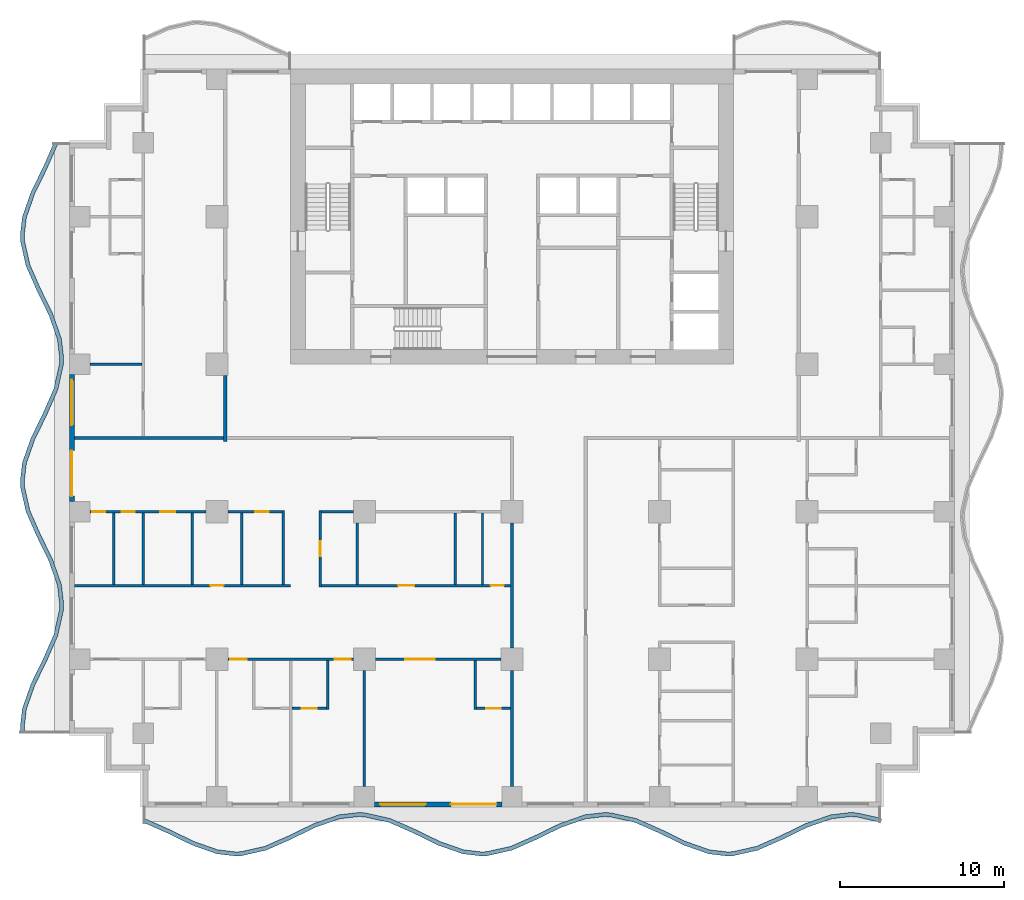
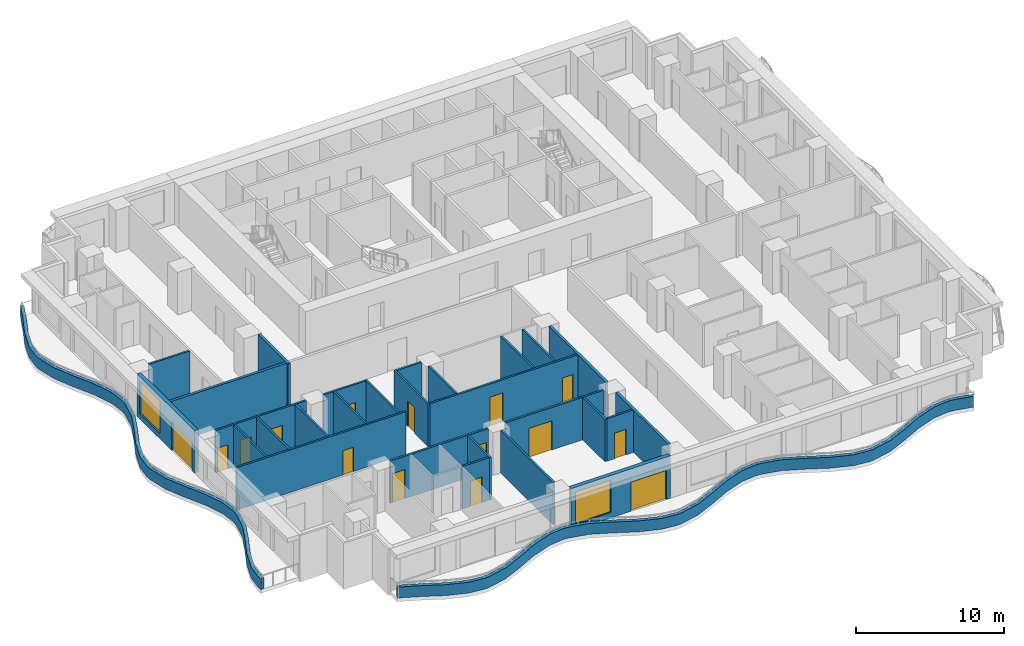
# One storey, part 2 of 14: 30 walls, 15 doors, 2 windows, 17 openings.
"""IFC4 building model written with IfcOpenShell, lengths in metres."""

from ifc_helpers import new_model, si_unit, direction, frame, frame_2d, origin, place, context, subcontext, project, spatial, polyline, rectangle, outline, extrude, material, layer, layer_set, type_object, element, fill, save


model = new_model("IFC4")

# Units and contexts
model_context = context("Model", 3, precision=1e-05, world=origin(), true_north=direction((0.0, 1.0)))
body_context = subcontext(model_context, "Body", "Model", "MODEL_VIEW")
ifc_project = project(units=[si_unit("LENGTHUNIT", "METRE"), si_unit("AREAUNIT", "SQUARE_METRE"), si_unit("VOLUMEUNIT", "CUBIC_METRE"), si_unit("PLANEANGLEUNIT", "RADIAN"), si_unit("MASSUNIT", "GRAM", prefix="KILO")], contexts=[model_context])

# Site, building, storey
site_placement = place(None, origin())
site = spatial("IfcSite", under=ifc_project, at=site_placement, CompositionType="ELEMENT")
building_placement = place(site_placement, origin())
building = spatial("IfcBuilding", under=site, at=building_placement, Name="Orbiselva Terraces", CompositionType="ELEMENT")
storey_placement = place(building_placement, frame((0.0, 0.0, 103.6)))
storey = spatial("IfcBuildingStorey", under=building, at=storey_placement, Name="L26", CompositionType="ELEMENT", Elevation=103.6)

# Walls
ifc_material_1 = material(Name="Concrete C40/50", Category="concrete")
ifc_layer_1 = layer(ifc_material_1, 0.25)
ifc_layer_set_1 = layer_set([ifc_layer_1], Name="Concrete C40/50")
wall_type_1 = type_object("IfcWallType", Name="ENV-PLANTER-250x900", PredefinedType="USERDEFINED", material=ifc_layer_set_1)
wall_1_placement = place(storey_placement, origin())
element("IfcWall", 1, at=wall_1_placement, inside=storey, type_object=wall_type_1, Name="Balcony planter L26 S", ObjectType="PLANTER", PredefinedType="USERDEFINED", context=body_context, shape_type="SweptSolid", body=[
    extrude(outline(polyline([(-22.5, -23.451472), (-21.0, -24.112279), (-19.5, -24.844789), (-18.0, -25.369208), (-16.875, -25.5), (-16.5, -25.485226), (-15.0, -25.148528), (-13.5, -24.487721), (-12.0, -23.755211), (-10.5, -23.230792), (-9.375, -23.1), (-9.0, -23.114774), (-7.5, -23.451472), (-6.0, -24.112279), (-4.5, -24.844789), (-3.0, -25.369208), (-1.875, -25.5), (-1.5, -25.485226), (0.0, -25.148528), (1.5, -24.487721), (3.0, -23.755211), (4.5, -23.230792), (5.625, -23.1), (6.0, -23.114774), (7.5, -23.451472), (9.0, -24.112279), (10.5, -24.844789), (12.0, -25.369208), (13.125, -25.5), (13.5, -25.485226), (15.0, -25.148528), (16.5, -24.487721), (18.0, -23.755211), (19.5, -23.230792), (20.625, -23.1), (21.0, -23.114774), (22.5, -23.451472), (22.554754, -23.207542), (21.032565, -22.865863), (20.615428, -22.849429), (19.443629, -22.985662), (17.90356, -23.524089), (16.394714, -24.260919), (14.921492, -24.90993), (13.467435, -25.236315), (13.134572, -25.249429), (12.056371, -25.124078), (10.59644, -24.613667), (9.105286, -23.885477), (7.578508, -23.212874), (6.032565, -22.865863), (5.615428, -22.849429), (4.443629, -22.985662), (2.90356, -23.524089), (1.394714, -24.260919), (-0.078508, -24.90993), (-1.532565, -25.236315), (-1.865428, -25.249429), (-2.943629, -25.124078), (-4.40356, -24.613667), (-5.894714, -23.885477), (-7.421492, -23.212874), (-8.967435, -22.865863), (-9.384572, -22.849429), (-10.556371, -22.985662), (-12.09644, -23.524089), (-13.605286, -24.260919), (-15.078508, -24.90993), (-16.532565, -25.236315), (-16.865428, -25.249429), (-17.943629, -25.124078), (-19.40356, -24.613667), (-20.894714, -23.885477), (-22.399212, -23.222689), (-22.5, -23.451472)])), origin(), (0.0, 0.0, 1.0), 0.9),
])
wall_2_placement = place(storey_placement, origin())
element("IfcWall", 2, at=wall_2_placement, inside=storey, type_object=wall_type_1, Name="Balcony planter L26 W", ObjectType="PLANTER", PredefinedType="USERDEFINED", context=body_context, shape_type="SweptSolid", body=[
    extrude(outline(polyline([(-27.951472, 18.0), (-28.612279, 16.5), (-29.344789, 15.0), (-29.869208, 13.5), (-30.0, 12.375), (-29.985226, 12.0), (-29.648528, 10.5), (-28.987721, 9.0), (-28.255211, 7.5), (-27.730792, 6.0), (-27.6, 4.875), (-27.614774, 4.5), (-27.951472, 3.0), (-28.612279, 1.5), (-29.344789, 0.0), (-29.869208, -1.5), (-30.0, -2.625), (-29.985226, -3.0), (-29.648528, -4.5), (-28.987721, -6.0), (-28.255211, -7.5), (-27.730792, -9.0), (-27.6, -10.125), (-27.614774, -10.5), (-27.951472, -12.0), (-28.612279, -13.5), (-29.344789, -15.0), (-29.869208, -16.5), (-30.0, -17.625), (-29.985226, -18.0), (-29.73542, -17.990158), (-29.749429, -17.634572), (-29.624078, -16.556371), (-29.113667, -15.09644), (-28.385477, -13.605286), (-27.712874, -12.078508), (-27.365863, -10.532565), (-27.349429, -10.115428), (-27.485662, -8.943629), (-28.024089, -7.40356), (-28.760919, -5.894714), (-29.40993, -4.421492), (-29.736315, -2.967435), (-29.749429, -2.634572), (-29.624078, -1.556371), (-29.113667, -0.09644), (-28.385477, 1.394714), (-27.712874, 2.921492), (-27.365863, 4.467435), (-27.349429, 4.884572), (-27.485662, 6.056371), (-28.024089, 7.59644), (-28.760919, 9.105286), (-29.40993, 10.578508), (-29.736315, 12.032565), (-29.749429, 12.365428), (-29.624078, 13.443629), (-29.113667, 14.90356), (-28.385477, 16.394714), (-27.722689, 17.899212), (-27.951472, 18.0)])), origin(), (0.0, 0.0, 1.0), 0.9),
])

# Wall, openings, door, window
ifc_material_2 = material(Name="Terracotta cladding on masonry backing", Category="masonry")
ifc_layer_2 = layer(ifc_material_2, 0.3)
ifc_layer_set_2 = layer_set([ifc_layer_2], Name="Terracotta cladding on masonry backing")
wall_type_2 = type_object("IfcWallType", Name="ENV-WALL-TERRACOTTA-300", PredefinedType="SOLIDWALL", material=ifc_layer_set_2)
wall_3_placement = place(storey_placement, frame((-0.625, -22.35, 0.0), z_axis=(0.0, 0.0, 1.0), x_axis=(-1.0, 0.0, 0.0)))
wall_3 = element("IfcWall", 3, at=wall_3_placement, inside=storey, type_object=wall_type_2, Name="Facade wall L26 S", PredefinedType="SOLIDWALL", context=body_context, shape_type="SweptSolid", body=[
    extrude(rectangle(XDim=7.75, YDim=0.3, at=frame_2d((3.875, 0.0))), origin(), (0.0, 0.0, 1.0), 3.5),
])
opening_1_placement = place(wall_3_placement, frame((4.65, 0.0, 0.45)))
opening_1 = element("IfcOpeningElement", 4, at=opening_1_placement, cuts=wall_3, Name="Opening WN6", PredefinedType="OPENING", context=body_context, shape_type="SweptSolid", body=[
    extrude(rectangle(XDim=2.775, YDim=2.65, at=frame_2d((1.3875, 1.325))), frame((0.0, 0.16, 0.0), z_axis=(0.0, -1.0, 0.0), x_axis=(1.0, 0.0, 0.0)), (0.0, 0.0, 1.0), 0.32),
])
opening_2_placement = place(wall_3_placement, frame((0.325, 0.0, 0.0)))
opening_2 = element("IfcOpeningElement", 5, at=opening_2_placement, cuts=wall_3, Name="Opening Z2-D-E02", PredefinedType="OPENING", context=body_context, shape_type="SweptSolid", body=[
    extrude(rectangle(XDim=2.775, YDim=2.4, at=frame_2d((1.3875, 1.2))), frame((0.0, 0.16, 0.0), z_axis=(0.0, -1.0, 0.0), x_axis=(1.0, 0.0, 0.0)), (0.0, 0.0, 1.0), 0.32),
])
ifc_material_3 = material(Name="Clear low-e glazing in aluminium frame", Category="aluminium")
door_type_1 = type_object("IfcDoorType", Name="BALCONY DOOR 2775 X 2400", OperationType="DOUBLE_DOOR_SLIDING", PredefinedType="DOOR", material=ifc_material_3)
door_1_placement = place(opening_2_placement, origin())
door_1 = element("IfcDoor", 6, at=door_1_placement, inside=storey, type_object=door_type_1, Name="Z2-D-E02", OperationType="SINGLE_SWING_LEFT", OverallHeight=2.4, OverallWidth=2.775, PredefinedType="DOOR", context=body_context, shape_type="SweptSolid", body=[
    extrude(rectangle(XDim=2.775, YDim=2.4, at=frame_2d((1.3875, 1.2))), frame((0.0, 0.025, 0.0), z_axis=(0.0, -1.0, 0.0), x_axis=(1.0, 0.0, 0.0)), (0.0, 0.0, 1.0), 0.05),
])
fill(opening_2, door_1)
window_type = type_object("IfcWindowType", Name="WINDOW 2775 X 2650 S450", PartitioningType="TRIPLE_PANEL_VERTICAL", PredefinedType="WINDOW", material=ifc_material_3)
window_1_placement = place(opening_1_placement, origin())
window_1 = element("IfcWindow", 7, at=window_1_placement, inside=storey, type_object=window_type, Name="Window L26 S", OverallHeight=2.65, OverallWidth=2.775, PartitioningType="SINGLE_PANEL", PredefinedType="WINDOW", context=body_context, shape_type="SweptSolid", body=[
    extrude(rectangle(XDim=2.775, YDim=2.65, at=frame_2d((1.3875, 1.325))), frame((0.0, 0.03, 0.0), z_axis=(0.0, -1.0, 0.0), x_axis=(1.0, 0.0, 0.0)), (0.0, 0.0, 1.0), 0.06),
])
fill(opening_1, window_1)

wall_4_placement = place(storey_placement, frame((-26.85, -3.875, 0.0), z_axis=(0.0, 0.0, 1.0), x_axis=(0.0, 1.0, 0.0)))
wall_4 = element("IfcWall", 8, at=wall_4_placement, inside=storey, type_object=wall_type_2, Name="Facade wall L26 W", PredefinedType="SOLIDWALL", context=body_context, shape_type="SweptSolid", body=[
    extrude(rectangle(XDim=7.75, YDim=0.3, at=frame_2d((3.875, 0.0))), origin(), (0.0, 0.0, 1.0), 3.5),
])
opening_3_placement = place(wall_4_placement, frame((4.65, 0.0, 0.45)))
opening_3 = element("IfcOpeningElement", 9, at=opening_3_placement, cuts=wall_4, Name="Opening WN6", PredefinedType="OPENING", context=body_context, shape_type="SweptSolid", body=[
    extrude(rectangle(XDim=2.775, YDim=2.65, at=frame_2d((1.3875, 1.325))), frame((0.0, 0.16, 0.0), z_axis=(0.0, -1.0, 0.0), x_axis=(1.0, 0.0, 0.0)), (0.0, 0.0, 1.0), 0.32),
])
opening_4_placement = place(wall_4_placement, frame((0.325, 0.0, 0.0)))
opening_4 = element("IfcOpeningElement", 10, at=opening_4_placement, cuts=wall_4, Name="Opening Z2-D-E11", PredefinedType="OPENING", context=body_context, shape_type="SweptSolid", body=[
    extrude(rectangle(XDim=2.775, YDim=2.4, at=frame_2d((1.3875, 1.2))), frame((0.0, 0.16, 0.0), z_axis=(0.0, -1.0, 0.0), x_axis=(1.0, 0.0, 0.0)), (0.0, 0.0, 1.0), 0.32),
])
door_2_placement = place(opening_4_placement, origin())
door_2 = element("IfcDoor", 11, at=door_2_placement, inside=storey, type_object=door_type_1, Name="Z2-D-E11", OperationType="SINGLE_SWING_LEFT", OverallHeight=2.4, OverallWidth=2.775, PredefinedType="DOOR", context=body_context, shape_type="SweptSolid", body=[
    extrude(rectangle(XDim=2.775, YDim=2.4, at=frame_2d((1.3875, 1.2))), frame((0.0, 0.025, 0.0), z_axis=(0.0, -1.0, 0.0), x_axis=(1.0, 0.0, 0.0)), (0.0, 0.0, 1.0), 0.05),
])
fill(opening_4, door_2)
window_2_placement = place(opening_3_placement, origin())
window_2 = element("IfcWindow", 12, at=window_2_placement, inside=storey, type_object=window_type, Name="Window L26 W", OverallHeight=2.65, OverallWidth=2.775, PartitioningType="SINGLE_PANEL", PredefinedType="WINDOW", context=body_context, shape_type="SweptSolid", body=[
    extrude(rectangle(XDim=2.775, YDim=2.65, at=frame_2d((1.3875, 1.325))), frame((0.0, 0.03, 0.0), z_axis=(0.0, -1.0, 0.0), x_axis=(1.0, 0.0, 0.0)), (0.0, 0.0, 1.0), 0.06),
])
fill(opening_3, window_2)

# Walls
ifc_material_4 = material(Name="Plasterboard on steel stud partition", Category="steel")
ifc_layer_3 = layer(ifc_material_4, 0.2)
ifc_layer_set_3 = layer_set([ifc_layer_3], Name="Plasterboard on steel stud partition")
wall_type_3 = type_object("IfcWallType", Name="UNIT-ENTRANCE-WALL-200", PredefinedType="PARTITIONING", material=ifc_layer_set_3)
wall_5_placement = place(storey_placement, frame((-17.5, -0.2, 0.0), z_axis=(0.0, 0.0, 1.0), x_axis=(0.0, 1.0, 0.0)))
element("IfcWall", 13, at=wall_5_placement, inside=storey, type_object=wall_type_3, Name="PARTITION L26-055", PredefinedType="PARTITIONING", context=body_context, shape_type="SweptSolid", body=[
    extrude(rectangle(XDim=4.025, YDim=0.2, at=frame_2d((2.0125, 0.0))), origin(), (0.0, 0.0, 1.0), 3.5),
])
wall_6_placement = place(storey_placement, frame((0.0, -21.25, 0.0), z_axis=(0.0, 0.0, 1.0), x_axis=(0.0, 1.0, 0.0)))
element("IfcWall", 14, at=wall_6_placement, inside=storey, type_object=wall_type_3, Name="PARTITION L26-069", PredefinedType="PARTITIONING", context=body_context, shape_type="SweptSolid", body=[
    extrude(rectangle(XDim=7.075, YDim=0.2, at=frame_2d((3.5375, 0.0))), origin(), (0.0, 0.0, 1.0), 3.5),
])
wall_7_placement = place(storey_placement, frame((0.0, -12.825, 0.0), z_axis=(0.0, 0.0, 1.0), x_axis=(0.0, 1.0, 0.0)))
element("IfcWall", 15, at=wall_7_placement, inside=storey, type_object=wall_type_3, Name="PARTITION L26-070", PredefinedType="PARTITIONING", context=body_context, shape_type="SweptSolid", body=[
    extrude(rectangle(XDim=7.65, YDim=0.2, at=frame_2d((3.825, 0.0))), origin(), (0.0, 0.0, 1.0), 3.5),
])

# Wall, opening, door
ifc_layer_4 = layer(ifc_material_4, 0.15)
ifc_layer_set_4 = layer_set([ifc_layer_4], Name="Plasterboard on steel stud partition")
wall_type_4 = type_object("IfcWallType", Name="UNIT-PARTITION-150", PredefinedType="PARTITIONING", material=ifc_layer_set_4)
wall_8_placement = place(storey_placement, frame((-13.425, -16.5, 0.0), z_axis=(0.0, 0.0, 1.0), x_axis=(1.0, 0.0, 0.0)))
wall_8 = element("IfcWall", 16, at=wall_8_placement, inside=storey, type_object=wall_type_4, Name="PARTITION L26-005", PredefinedType="PARTITIONING", context=body_context, shape_type="SweptSolid", body=[
    extrude(rectangle(XDim=2.1, YDim=0.15, at=frame_2d((1.05, 0.0))), origin(), (0.0, 0.0, 1.0), 3.5),
])
opening_5_placement = place(wall_8_placement, frame((0.6, 0.0, 0.0)))
opening_5 = element("IfcOpeningElement", 17, at=opening_5_placement, cuts=wall_8, Name="Opening Z2-D-28", PredefinedType="OPENING", context=body_context, shape_type="SweptSolid", body=[
    extrude(rectangle(XDim=0.9, YDim=2.1, at=frame_2d((0.45, 1.05))), frame((0.0, 0.085, 0.0), z_axis=(0.0, -1.0, 0.0), x_axis=(1.0, 0.0, 0.0)), (0.0, 0.0, 1.0), 0.17),
])
ifc_material_5 = material(Name="Painted timber door leaf", Category="wood")
door_type_2 = type_object("IfcDoorType", Name="BATH DOOR 900", OperationType="NOTDEFINED", PredefinedType="DOOR", material=ifc_material_5)
door_3_placement = place(opening_5_placement, origin())
door_3 = element("IfcDoor", 18, at=door_3_placement, inside=storey, type_object=door_type_2, Name="Z2-D-28", OperationType="SINGLE_SWING_LEFT", OverallHeight=2.1, OverallWidth=0.9, PredefinedType="DOOR", context=body_context, shape_type="SweptSolid", body=[
    extrude(rectangle(XDim=0.9, YDim=2.1, at=frame_2d((0.45, 1.05))), frame((0.0, 0.025, 0.0), z_axis=(0.0, -1.0, 0.0), x_axis=(1.0, 0.0, 0.0)), (0.0, 0.0, 1.0), 0.05),
])
fill(opening_5, door_3)

wall_9_placement = place(storey_placement, frame((-2.175, -16.5, 0.0), z_axis=(0.0, 0.0, 1.0), x_axis=(1.0, 0.0, 0.0)))
wall_9 = element("IfcWall", 19, at=wall_9_placement, inside=storey, type_object=wall_type_4, Name="PARTITION L26-006", PredefinedType="PARTITIONING", context=body_context, shape_type="SweptSolid", body=[
    extrude(rectangle(XDim=2.075, YDim=0.15, at=frame_2d((1.0375, 0.0))), origin(), (0.0, 0.0, 1.0), 3.5),
])
opening_6_placement = place(wall_9_placement, frame((0.6, 0.0, 0.0)))
opening_6 = element("IfcOpeningElement", 20, at=opening_6_placement, cuts=wall_9, Name="Opening Z2-D-26", PredefinedType="OPENING", context=body_context, shape_type="SweptSolid", body=[
    extrude(rectangle(XDim=0.9, YDim=2.1, at=frame_2d((0.45, 1.05))), frame((0.0, 0.085, 0.0), z_axis=(0.0, -1.0, 0.0), x_axis=(1.0, 0.0, 0.0)), (0.0, 0.0, 1.0), 0.17),
])
door_4_placement = place(opening_6_placement, origin())
door_4 = element("IfcDoor", 21, at=door_4_placement, inside=storey, type_object=door_type_2, Name="Z2-D-26", OperationType="SINGLE_SWING_RIGHT", OverallHeight=2.1, OverallWidth=0.9, PredefinedType="DOOR", context=body_context, shape_type="SweptSolid", body=[
    extrude(rectangle(XDim=0.9, YDim=2.1, at=frame_2d((0.45, 1.05))), frame((0.0, 0.025, 0.0), z_axis=(0.0, -1.0, 0.0), x_axis=(1.0, 0.0, 0.0)), (0.0, 0.0, 1.0), 0.05),
])
fill(opening_6, door_4)

# Wall, openings, doors
wall_10_placement = place(storey_placement, frame((-9.675, -13.5, 0.0), z_axis=(0.0, 0.0, 1.0), x_axis=(-1.0, 0.0, 0.0)))
wall_10 = element("IfcWall", 22, at=wall_10_placement, inside=storey, type_object=wall_type_4, Name="PARTITION L26-010", PredefinedType="PARTITIONING", context=body_context, shape_type="SweptSolid", body=[
    extrude(rectangle(XDim=7.65, YDim=0.15, at=frame_2d((3.825, 0.0))), origin(), (0.0, 0.0, 1.0), 3.5),
])
opening_7_placement = place(wall_10_placement, frame((0.15, 0.0, 0.0)))
opening_7 = element("IfcOpeningElement", 23, at=opening_7_placement, cuts=wall_10, Name="Opening Z2-D-27", PredefinedType="OPENING", context=body_context, shape_type="SweptSolid", body=[
    extrude(rectangle(XDim=1.0, YDim=2.4, at=frame_2d((0.5, 1.2))), frame((0.0, 0.085, 0.0), z_axis=(0.0, -1.0, 0.0), x_axis=(1.0, 0.0, 0.0)), (0.0, 0.0, 1.0), 0.17),
])
opening_8_placement = place(wall_10_placement, frame((6.5, 0.0, 0.0)))
opening_8 = element("IfcOpeningElement", 24, at=opening_8_placement, cuts=wall_10, Name="Opening Z2-D-29", PredefinedType="OPENING", context=body_context, shape_type="SweptSolid", body=[
    extrude(rectangle(XDim=1.0, YDim=2.4, at=frame_2d((0.5, 1.2))), frame((0.0, 0.085, 0.0), z_axis=(0.0, -1.0, 0.0), x_axis=(1.0, 0.0, 0.0)), (0.0, 0.0, 1.0), 0.17),
])
door_type_3 = type_object("IfcDoorType", Name="ROOM DOOR 1000", OperationType="NOTDEFINED", PredefinedType="DOOR", material=ifc_material_5)
door_5_placement = place(opening_7_placement, origin())
door_5 = element("IfcDoor", 25, at=door_5_placement, inside=storey, type_object=door_type_3, Name="Z2-D-27", OperationType="SINGLE_SWING_LEFT", OverallHeight=2.4, OverallWidth=1.0, PredefinedType="DOOR", context=body_context, shape_type="SweptSolid", body=[
    extrude(rectangle(XDim=1.0, YDim=2.4, at=frame_2d((0.5, 1.2))), frame((0.0, 0.025, 0.0), z_axis=(0.0, -1.0, 0.0), x_axis=(1.0, 0.0, 0.0)), (0.0, 0.0, 1.0), 0.05),
])
fill(opening_7, door_5)
door_6_placement = place(opening_8_placement, origin())
door_6 = element("IfcDoor", 26, at=door_6_placement, inside=storey, type_object=door_type_3, Name="Z2-D-29", OperationType="SINGLE_SWING_RIGHT", OverallHeight=2.4, OverallWidth=1.0, PredefinedType="DOOR", context=body_context, shape_type="SweptSolid", body=[
    extrude(rectangle(XDim=1.0, YDim=2.4, at=frame_2d((0.5, 1.2))), frame((0.0, 0.025, 0.0), z_axis=(0.0, -1.0, 0.0), x_axis=(1.0, 0.0, 0.0)), (0.0, 0.0, 1.0), 0.05),
])
fill(opening_8, door_6)

# Wall, opening, door
wall_11_placement = place(storey_placement, frame((-0.675, -13.5, 0.0), z_axis=(0.0, 0.0, 1.0), x_axis=(-1.0, 0.0, 0.0)))
wall_11 = element("IfcWall", 27, at=wall_11_placement, inside=storey, type_object=wall_type_4, Name="PARTITION L26-011", PredefinedType="PARTITIONING", context=body_context, shape_type="SweptSolid", body=[
    extrude(rectangle(XDim=7.65, YDim=0.15, at=frame_2d((3.825, 0.0))), origin(), (0.0, 0.0, 1.0), 3.5),
])
opening_9_placement = place(wall_11_placement, frame((4.05, 0.0, 0.0)))
opening_9 = element("IfcOpeningElement", 28, at=opening_9_placement, cuts=wall_11, Name="Opening Z2-D-25", PredefinedType="OPENING", context=body_context, shape_type="SweptSolid", body=[
    extrude(rectangle(XDim=1.8, YDim=2.4, at=frame_2d((0.9, 1.2))), frame((0.0, 0.085, 0.0), z_axis=(0.0, -1.0, 0.0), x_axis=(1.0, 0.0, 0.0)), (0.0, 0.0, 1.0), 0.17),
])
door_type_4 = type_object("IfcDoorType", Name="DOUBLE DOOR 1800", OperationType="NOTDEFINED", PredefinedType="DOOR", material=ifc_material_5)
door_7_placement = place(opening_9_placement, origin())
door_7 = element("IfcDoor", 29, at=door_7_placement, inside=storey, type_object=door_type_4, Name="Z2-D-25", OperationType="DOUBLE_DOOR_SINGLE_SWING", OverallHeight=2.4, OverallWidth=1.8, PredefinedType="DOOR", context=body_context, shape_type="SweptSolid", body=[
    extrude(rectangle(XDim=1.8, YDim=2.4, at=frame_2d((0.9, 1.2))), frame((0.0, 0.025, 0.0), z_axis=(0.0, -1.0, 0.0), x_axis=(1.0, 0.0, 0.0)), (0.0, 0.0, 1.0), 0.05),
])
fill(opening_9, door_7)

wall_12_placement = place(storey_placement, frame((-26.7, -9.0, 0.0), z_axis=(0.0, 0.0, 1.0), x_axis=(1.0, 0.0, 0.0)))
wall_12 = element("IfcWall", 30, at=wall_12_placement, inside=storey, type_object=wall_type_4, Name="PARTITION L26-016", PredefinedType="PARTITIONING", context=body_context, shape_type="SweptSolid", body=[
    extrude(rectangle(XDim=13.2, YDim=0.15, at=frame_2d((6.6, 0.0))), origin(), (0.0, 0.0, 1.0), 3.5),
])
opening_10_placement = place(wall_12_placement, frame((8.3, 0.0, 0.0)))
opening_10 = element("IfcOpeningElement", 31, at=opening_10_placement, cuts=wall_12, Name="Opening Z2-D-21", PredefinedType="OPENING", context=body_context, shape_type="SweptSolid", body=[
    extrude(rectangle(XDim=0.8, YDim=2.0, at=frame_2d((0.4, 1.0))), frame((0.0, 0.085, 0.0), z_axis=(0.0, -1.0, 0.0), x_axis=(1.0, 0.0, 0.0)), (0.0, 0.0, 1.0), 0.17),
])
door_type_5 = type_object("IfcDoorType", Name="STORE DOOR 800", OperationType="NOTDEFINED", PredefinedType="DOOR", material=ifc_material_5)
door_8_placement = place(opening_10_placement, origin())
door_8 = element("IfcDoor", 32, at=door_8_placement, inside=storey, type_object=door_type_5, Name="Z2-D-21", OperationType="SINGLE_SWING_RIGHT", OverallHeight=2.0, OverallWidth=0.8, PredefinedType="DOOR", context=body_context, shape_type="SweptSolid", body=[
    extrude(rectangle(XDim=0.8, YDim=2.0, at=frame_2d((0.4, 1.0))), frame((0.0, 0.025, 0.0), z_axis=(0.0, -1.0, 0.0), x_axis=(1.0, 0.0, 0.0)), (0.0, 0.0, 1.0), 0.05),
])
fill(opening_10, door_8)

# Wall, openings, doors
wall_13_placement = place(storey_placement, frame((-11.625, -9.0, 0.0), z_axis=(0.0, 0.0, 1.0), x_axis=(1.0, 0.0, 0.0)))
wall_13 = element("IfcWall", 33, at=wall_13_placement, inside=storey, type_object=wall_type_4, Name="PARTITION L26-017", PredefinedType="PARTITIONING", context=body_context, shape_type="SweptSolid", body=[
    extrude(rectangle(XDim=11.525, YDim=0.15, at=frame_2d((5.7625, 0.0))), origin(), (0.0, 0.0, 1.0), 3.5),
])
opening_11_placement = place(wall_13_placement, frame((10.325, 0.0, 0.0)))
opening_11 = element("IfcOpeningElement", 34, at=opening_11_placement, cuts=wall_13, Name="Opening Z2-D-16", PredefinedType="OPENING", context=body_context, shape_type="SweptSolid", body=[
    extrude(rectangle(XDim=0.8, YDim=2.0, at=frame_2d((0.4, 1.0))), frame((0.0, 0.085, 0.0), z_axis=(0.0, -1.0, 0.0), x_axis=(1.0, 0.0, 0.0)), (0.0, 0.0, 1.0), 0.17),
])
opening_12_placement = place(wall_13_placement, frame((4.675, 0.0, 0.0)))
opening_12 = element("IfcOpeningElement", 35, at=opening_12_placement, cuts=wall_13, Name="Opening Z2-D-18", PredefinedType="OPENING", context=body_context, shape_type="SweptSolid", body=[
    extrude(rectangle(XDim=1.0, YDim=2.4, at=frame_2d((0.5, 1.2))), frame((0.0, 0.085, 0.0), z_axis=(0.0, -1.0, 0.0), x_axis=(1.0, 0.0, 0.0)), (0.0, 0.0, 1.0), 0.17),
])
door_9_placement = place(opening_12_placement, origin())
door_9 = element("IfcDoor", 36, at=door_9_placement, inside=storey, type_object=door_type_3, Name="Z2-D-18", OperationType="SINGLE_SWING_LEFT", OverallHeight=2.4, OverallWidth=1.0, PredefinedType="DOOR", context=body_context, shape_type="SweptSolid", body=[
    extrude(rectangle(XDim=1.0, YDim=2.4, at=frame_2d((0.5, 1.2))), frame((0.0, 0.025, 0.0), z_axis=(0.0, -1.0, 0.0), x_axis=(1.0, 0.0, 0.0)), (0.0, 0.0, 1.0), 0.05),
])
fill(opening_12, door_9)
door_10_placement = place(opening_11_placement, origin())
door_10 = element("IfcDoor", 37, at=door_10_placement, inside=storey, type_object=door_type_5, Name="Z2-D-16", OperationType="SINGLE_SWING_RIGHT", OverallHeight=2.0, OverallWidth=0.8, PredefinedType="DOOR", context=body_context, shape_type="SweptSolid", body=[
    extrude(rectangle(XDim=0.8, YDim=2.0, at=frame_2d((0.4, 1.0))), frame((0.0, 0.025, 0.0), z_axis=(0.0, -1.0, 0.0), x_axis=(1.0, 0.0, 0.0)), (0.0, 0.0, 1.0), 0.05),
])
fill(opening_11, door_10)

wall_14_placement = place(storey_placement, frame((-18.675, -4.5, 0.0), z_axis=(0.0, 0.0, 1.0), x_axis=(-1.0, 0.0, 0.0)))
wall_14 = element("IfcWall", 38, at=wall_14_placement, inside=storey, type_object=wall_type_4, Name="PARTITION L26-022", PredefinedType="PARTITIONING", context=body_context, shape_type="SweptSolid", body=[
    extrude(rectangle(XDim=7.075, YDim=0.15, at=frame_2d((3.5375, 0.0))), origin(), (0.0, 0.0, 1.0), 3.5),
])
opening_13_placement = place(wall_14_placement, frame((1.875, 0.0, 0.0)))
opening_13 = element("IfcOpeningElement", 39, at=opening_13_placement, cuts=wall_14, Name="Opening Z2-D-22", PredefinedType="OPENING", context=body_context, shape_type="SweptSolid", body=[
    extrude(rectangle(XDim=0.9, YDim=2.1, at=frame_2d((0.45, 1.05))), frame((0.0, 0.085, 0.0), z_axis=(0.0, -1.0, 0.0), x_axis=(1.0, 0.0, 0.0)), (0.0, 0.0, 1.0), 0.17),
])
opening_14_placement = place(wall_14_placement, frame((4.325, 0.0, 0.0)))
opening_14 = element("IfcOpeningElement", 40, at=opening_14_placement, cuts=wall_14, Name="Opening Z2-D-23", PredefinedType="OPENING", context=body_context, shape_type="SweptSolid", body=[
    extrude(rectangle(XDim=0.8, YDim=2.0, at=frame_2d((0.4, 1.0))), frame((0.0, 0.085, 0.0), z_axis=(0.0, -1.0, 0.0), x_axis=(1.0, 0.0, 0.0)), (0.0, 0.0, 1.0), 0.17),
])
opening_15_placement = place(wall_14_placement, frame((6.125, 0.0, 0.0)))
opening_15 = element("IfcOpeningElement", 41, at=opening_15_placement, cuts=wall_14, Name="Opening Z2-D-24", PredefinedType="OPENING", context=body_context, shape_type="SweptSolid", body=[
    extrude(rectangle(XDim=0.8, YDim=2.0, at=frame_2d((0.4, 1.0))), frame((0.0, 0.085, 0.0), z_axis=(0.0, -1.0, 0.0), x_axis=(1.0, 0.0, 0.0)), (0.0, 0.0, 1.0), 0.17),
])
door_type_6 = type_object("IfcDoorType", Name="SERVICE DOOR 900", OperationType="NOTDEFINED", PredefinedType="DOOR", material=ifc_material_5)
door_11_placement = place(opening_13_placement, origin())
door_11 = element("IfcDoor", 42, at=door_11_placement, inside=storey, type_object=door_type_6, Name="Z2-D-22", OperationType="SINGLE_SWING_LEFT", OverallHeight=2.1, OverallWidth=0.9, PredefinedType="DOOR", context=body_context, shape_type="SweptSolid", body=[
    extrude(rectangle(XDim=0.9, YDim=2.1, at=frame_2d((0.45, 1.05))), frame((0.0, 0.025, 0.0), z_axis=(0.0, -1.0, 0.0), x_axis=(1.0, 0.0, 0.0)), (0.0, 0.0, 1.0), 0.05),
])
fill(opening_13, door_11)
door_12_placement = place(opening_14_placement, origin())
door_12 = element("IfcDoor", 43, at=door_12_placement, inside=storey, type_object=door_type_5, Name="Z2-D-23", OperationType="SINGLE_SWING_RIGHT", OverallHeight=2.0, OverallWidth=0.8, PredefinedType="DOOR", context=body_context, shape_type="SweptSolid", body=[
    extrude(rectangle(XDim=0.8, YDim=2.0, at=frame_2d((0.4, 1.0))), frame((0.0, 0.025, 0.0), z_axis=(0.0, -1.0, 0.0), x_axis=(1.0, 0.0, 0.0)), (0.0, 0.0, 1.0), 0.05),
])
fill(opening_14, door_12)
door_13_placement = place(opening_15_placement, origin())
door_13 = element("IfcDoor", 44, at=door_13_placement, inside=storey, type_object=door_type_5, Name="Z2-D-24", OperationType="SINGLE_SWING_RIGHT", OverallHeight=2.0, OverallWidth=0.8, PredefinedType="DOOR", context=body_context, shape_type="SweptSolid", body=[
    extrude(rectangle(XDim=0.8, YDim=2.0, at=frame_2d((0.4, 1.0))), frame((0.0, 0.025, 0.0), z_axis=(0.0, -1.0, 0.0), x_axis=(1.0, 0.0, 0.0)), (0.0, 0.0, 1.0), 0.05),
])
fill(opening_15, door_13)

# Wall, opening, door
wall_15_placement = place(storey_placement, frame((-14.025, -4.5, 0.0), z_axis=(0.0, 0.0, 1.0), x_axis=(-1.0, 0.0, 0.0)))
wall_15 = element("IfcWall", 45, at=wall_15_placement, inside=storey, type_object=wall_type_4, Name="PARTITION L26-023", PredefinedType="PARTITIONING", context=body_context, shape_type="SweptSolid", body=[
    extrude(rectangle(XDim=3.3, YDim=0.15, at=frame_2d((1.65, 0.0))), origin(), (0.0, 0.0, 1.0), 3.5),
])
opening_16_placement = place(wall_15_placement, frame((0.825, 0.0, 0.0)))
opening_16 = element("IfcOpeningElement", 46, at=opening_16_placement, cuts=wall_15, Name="Opening Z2-D-20", PredefinedType="OPENING", context=body_context, shape_type="SweptSolid", body=[
    extrude(rectangle(XDim=0.8, YDim=2.0, at=frame_2d((0.4, 1.0))), frame((0.0, 0.085, 0.0), z_axis=(0.0, -1.0, 0.0), x_axis=(1.0, 0.0, 0.0)), (0.0, 0.0, 1.0), 0.17),
])
door_14_placement = place(opening_16_placement, origin())
door_14 = element("IfcDoor", 47, at=door_14_placement, inside=storey, type_object=door_type_5, Name="Z2-D-20", OperationType="SINGLE_SWING_LEFT", OverallHeight=2.0, OverallWidth=0.8, PredefinedType="DOOR", context=body_context, shape_type="SweptSolid", body=[
    extrude(rectangle(XDim=0.8, YDim=2.0, at=frame_2d((0.4, 1.0))), frame((0.0, 0.025, 0.0), z_axis=(0.0, -1.0, 0.0), x_axis=(1.0, 0.0, 0.0)), (0.0, 0.0, 1.0), 0.05),
])
fill(opening_16, door_14)

# Walls
wall_16_placement = place(storey_placement, frame((-11.625, -4.5, 0.0), z_axis=(0.0, 0.0, 1.0), x_axis=(1.0, 0.0, 0.0)))
element("IfcWall", 48, at=wall_16_placement, inside=storey, type_object=wall_type_4, Name="PARTITION L26-024", PredefinedType="PARTITIONING", context=body_context, shape_type="SweptSolid", body=[
    extrude(rectangle(XDim=1.95, YDim=0.15, at=frame_2d((0.975, 0.0))), origin(), (0.0, 0.0, 1.0), 3.5),
])
wall_17_placement = place(storey_placement, frame((-25.75, 4.5, 0.0), z_axis=(0.0, 0.0, 1.0), x_axis=(1.0, 0.0, 0.0)))
element("IfcWall", 49, at=wall_17_placement, inside=storey, type_object=wall_type_4, Name="PARTITION L26-033", PredefinedType="PARTITIONING", context=body_context, shape_type="SweptSolid", body=[
    extrude(rectangle(XDim=3.175, YDim=0.15, at=frame_2d((1.5875, 0.0))), origin(), (0.0, 0.0, 1.0), 3.5),
])
for number, where, z_axis, x_axis, name in (
    (50, (-24.3, -8.925, 0.0), (0.0, 0.0, 1.0), (0.0, 1.0, 0.0), "PARTITION L26-046"),
    (51, (-22.5, -8.925, 0.0), (0.0, 0.0, 1.0), (0.0, 1.0, 0.0), "PARTITION L26-049"),
    (52, (-19.5, -8.925, 0.0), (0.0, 0.0, 1.0), (0.0, 1.0, 0.0), "PARTITION L26-053"),
    (53, (-16.5, -8.925, 0.0), (0.0, 0.0, 1.0), (0.0, 1.0, 0.0), "PARTITION L26-058"),
):
    element("IfcWall", number, at=place(storey_placement, frame(where, z_axis=z_axis, x_axis=x_axis)), inside=storey, type_object=wall_type_4, Name=name, PredefinedType="PARTITIONING", context=body_context, shape_type="SweptSolid", body=[
        extrude(rectangle(XDim=4.35, YDim=0.15, at=frame_2d((2.175, 0.0))), origin(), (0.0, 0.0, 1.0), 3.5),
    ])
wall_18_placement = place(storey_placement, frame((-13.95, -8.925, 0.0), z_axis=(0.0, 0.0, 1.0), x_axis=(0.0, 1.0, 0.0)))
element("IfcWall", 54, at=wall_18_placement, inside=storey, type_object=wall_type_4, Name="PARTITION L26-060", PredefinedType="PARTITIONING", context=body_context, shape_type="SweptSolid", body=[
    extrude(rectangle(XDim=4.5, YDim=0.15, at=frame_2d((2.25, 0.0))), origin(), (0.0, 0.0, 1.0), 3.5),
])

# Wall, opening, door
wall_19_placement = place(storey_placement, frame((-11.7, -4.425, 0.0), z_axis=(0.0, 0.0, 1.0), x_axis=(0.0, -1.0, 0.0)))
wall_19 = element("IfcWall", 55, at=wall_19_placement, inside=storey, type_object=wall_type_4, Name="PARTITION L26-062", PredefinedType="PARTITIONING", context=body_context, shape_type="SweptSolid", body=[
    extrude(rectangle(XDim=4.65, YDim=0.15, at=frame_2d((2.325, 0.0))), origin(), (0.0, 0.0, 1.0), 3.5),
])
opening_17_placement = place(wall_19_placement, frame((1.875, 0.0, 0.0)))
opening_17 = element("IfcOpeningElement", 56, at=opening_17_placement, cuts=wall_19, Name="Opening Z2-D-19", PredefinedType="OPENING", context=body_context, shape_type="SweptSolid", body=[
    extrude(rectangle(XDim=0.9, YDim=2.1, at=frame_2d((0.45, 1.05))), frame((0.0, 0.085, 0.0), z_axis=(0.0, -1.0, 0.0), x_axis=(1.0, 0.0, 0.0)), (0.0, 0.0, 1.0), 0.17),
])
door_15_placement = place(opening_17_placement, origin())
door_15 = element("IfcDoor", 57, at=door_15_placement, inside=storey, type_object=door_type_2, Name="Z2-D-19", OperationType="SINGLE_SWING_RIGHT", OverallHeight=2.1, OverallWidth=0.9, PredefinedType="DOOR", context=body_context, shape_type="SweptSolid", body=[
    extrude(rectangle(XDim=0.9, YDim=2.1, at=frame_2d((0.45, 1.05))), frame((0.0, 0.025, 0.0), z_axis=(0.0, -1.0, 0.0), x_axis=(1.0, 0.0, 0.0)), (0.0, 0.0, 1.0), 0.05),
])
fill(opening_17, door_15)

# Walls
wall_20_placement = place(storey_placement, frame((-11.25, -16.575, 0.0), z_axis=(0.0, 0.0, 1.0), x_axis=(0.0, 1.0, 0.0)))
element("IfcWall", 58, at=wall_20_placement, inside=storey, type_object=wall_type_4, Name="PARTITION L26-063", PredefinedType="PARTITIONING", context=body_context, shape_type="SweptSolid", body=[
    extrude(rectangle(XDim=3.0, YDim=0.15, at=frame_2d((1.5, 0.0))), origin(), (0.0, 0.0, 1.0), 3.5),
])
wall_21_placement = place(storey_placement, frame((-9.45, -8.925, 0.0), z_axis=(0.0, 0.0, 1.0), x_axis=(0.0, 1.0, 0.0)))
element("IfcWall", 59, at=wall_21_placement, inside=storey, type_object=wall_type_4, Name="PARTITION L26-064", PredefinedType="PARTITIONING", context=body_context, shape_type="SweptSolid", body=[
    extrude(rectangle(XDim=3.75, YDim=0.15, at=frame_2d((1.875, 0.0))), origin(), (0.0, 0.0, 1.0), 3.5),
])
wall_22_placement = place(storey_placement, frame((-9.0, -21.25, 0.0), z_axis=(0.0, 0.0, 1.0), x_axis=(0.0, 1.0, 0.0)))
element("IfcWall", 60, at=wall_22_placement, inside=storey, type_object=wall_type_4, Name="PARTITION L26-065", PredefinedType="PARTITIONING", context=body_context, shape_type="SweptSolid", body=[
    extrude(rectangle(XDim=7.075, YDim=0.15, at=frame_2d((3.5375, 0.0))), origin(), (0.0, 0.0, 1.0), 3.5),
])
wall_23_placement = place(storey_placement, frame((-3.45, -8.925, 0.0), z_axis=(0.0, 0.0, 1.0), x_axis=(0.0, 1.0, 0.0)))
element("IfcWall", 61, at=wall_23_placement, inside=storey, type_object=wall_type_4, Name="PARTITION L26-066", PredefinedType="PARTITIONING", context=body_context, shape_type="SweptSolid", body=[
    extrude(rectangle(XDim=4.35, YDim=0.15, at=frame_2d((2.175, 0.0))), origin(), (0.0, 0.0, 1.0), 3.5),
])
wall_24_placement = place(storey_placement, frame((-2.25, -16.575, 0.0), z_axis=(0.0, 0.0, 1.0), x_axis=(0.0, 1.0, 0.0)))
element("IfcWall", 62, at=wall_24_placement, inside=storey, type_object=wall_type_4, Name="PARTITION L26-067", PredefinedType="PARTITIONING", context=body_context, shape_type="SweptSolid", body=[
    extrude(rectangle(XDim=3.0, YDim=0.15, at=frame_2d((1.5, 0.0))), origin(), (0.0, 0.0, 1.0), 3.5),
])
wall_25_placement = place(storey_placement, frame((-1.8, -8.925, 0.0), z_axis=(0.0, 0.0, 1.0), x_axis=(0.0, 1.0, 0.0)))
element("IfcWall", 63, at=wall_25_placement, inside=storey, type_object=wall_type_4, Name="PARTITION L26-068", PredefinedType="PARTITIONING", context=body_context, shape_type="SweptSolid", body=[
    extrude(rectangle(XDim=4.35, YDim=0.15, at=frame_2d((2.175, 0.0))), origin(), (0.0, 0.0, 1.0), 3.5),
])
ifc_layer_5 = layer(ifc_material_4, 0.2)
ifc_layer_set_5 = layer_set([ifc_layer_5], Name="Plasterboard on steel stud partition")
wall_type_5 = type_object("IfcWallType", Name="UNIT-PARTY-WALL-200", PredefinedType="PARTITIONING", material=ifc_layer_set_5)
wall_26_placement = place(storey_placement, frame((-26.7, 0.0, 0.0), z_axis=(0.0, 0.0, 1.0), x_axis=(1.0, 0.0, 0.0)))
element("IfcWall", 64, at=wall_26_placement, inside=storey, type_object=wall_type_5, Name="PARTITION L26-031", PredefinedType="PARTITIONING", context=body_context, shape_type="SweptSolid", body=[
    extrude(rectangle(XDim=9.1, YDim=0.2, at=frame_2d((4.55, 0.0))), origin(), (0.0, 0.0, 1.0), 3.5),
])

save(model, "model.ifc")
